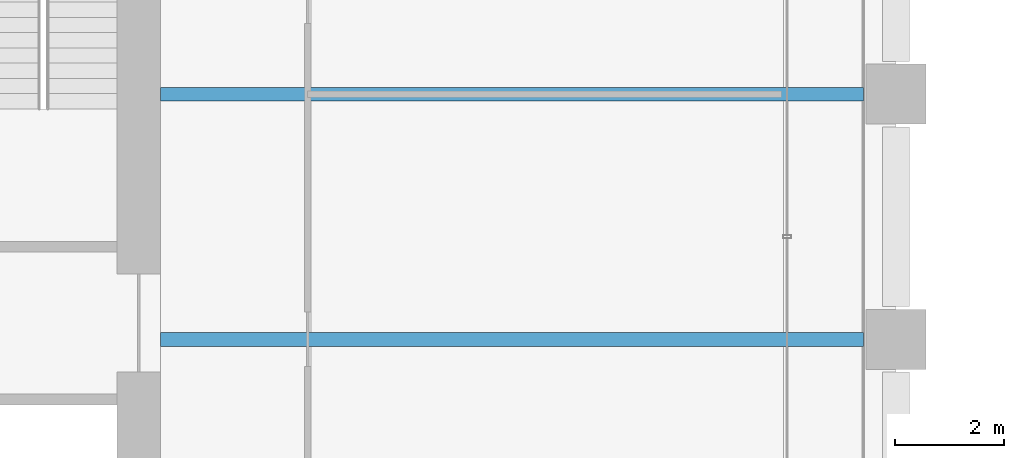
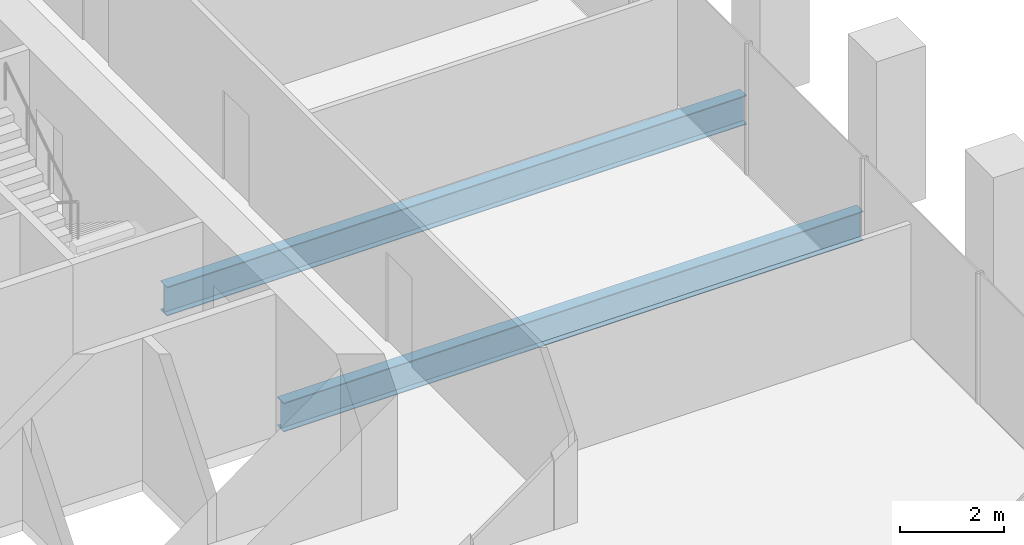
# One storey, part 19 of 55: 2 beams.
"""IFC4 building model written with IfcOpenShell, lengths in metres."""

from ifc_helpers import new_model, si_unit, direction, frame, origin, origin_2d, place, context, subcontext, project, spatial, i_section, extrude, material, material_profile, profile_set, type_object, element, save


model = new_model("IFC4")

# Units and contexts
model_context = context("Model", 3, precision=1e-05, world=origin(), true_north=direction((0.0, 1.0)))
body_context = subcontext(model_context, "Body", "Model", "MODEL_VIEW")
ifc_project = project(units=[si_unit("LENGTHUNIT", "METRE"), si_unit("AREAUNIT", "SQUARE_METRE"), si_unit("VOLUMEUNIT", "CUBIC_METRE"), si_unit("PLANEANGLEUNIT", "RADIAN"), si_unit("MASSUNIT", "GRAM", prefix="KILO")], contexts=[model_context])

# Site, building, storey
site_placement = place(None, origin())
site = spatial("IfcSite", under=ifc_project, at=site_placement, CompositionType="ELEMENT")
building_placement = place(site_placement, origin())
building = spatial("IfcBuilding", under=site, at=building_placement, Name="Altepetl Exchange Towers", CompositionType="ELEMENT")
storey_placement = place(building_placement, frame((0.0, 0.0, 47.39990234375)))
storey = spatial("IfcBuildingStorey", under=building, at=storey_placement, Name="L10", CompositionType="ELEMENT", Elevation=47.39990234375)

# Beams
ifc_material = material(Name="Steel S355", Category="steel")
ifc_material_profile = material_profile(ifc_material, i_section(OverallWidth=0.25390625, OverallDepth=0.68408203125, WebThickness=0.012451171875, FlangeThickness=0.018798828125, at=origin_2d()), Name="W27X94")
ifc_profile_set = profile_set([ifc_material_profile], Name="Steel S355")
beam_type = type_object("IfcBeamType", Name="Floor beam W27X94", PredefinedType="BEAM", material=ifc_profile_set)
for number, where, z_axis, x_axis, name in (
    (1, (58.5, 45.0, -0.491943359375), (1.0, 0.0, 0.0), (0.0, 1.0, 0.0), "bm:A:L10:009"),
    (2, (58.5, 49.5, -0.491943359375), (1.0, 0.0, 0.0), (0.0, 1.0, 0.0), "bm:A:L10:010"),
):
    element("IfcBeam", number, at=place(storey_placement, frame(where, z_axis=z_axis, x_axis=x_axis)), inside=storey, type_object=beam_type, Name=name, PredefinedType="BEAM", context=body_context, shape_type="SweptSolid", body=[
        extrude(i_section(OverallWidth=0.25390625, OverallDepth=0.68408203125, WebThickness=0.012451171875, FlangeThickness=0.018798828125, at=origin_2d()), origin(), (0.0, 0.0, 1.0), 12.89990234375),
    ])

save(model, "model.ifc")
